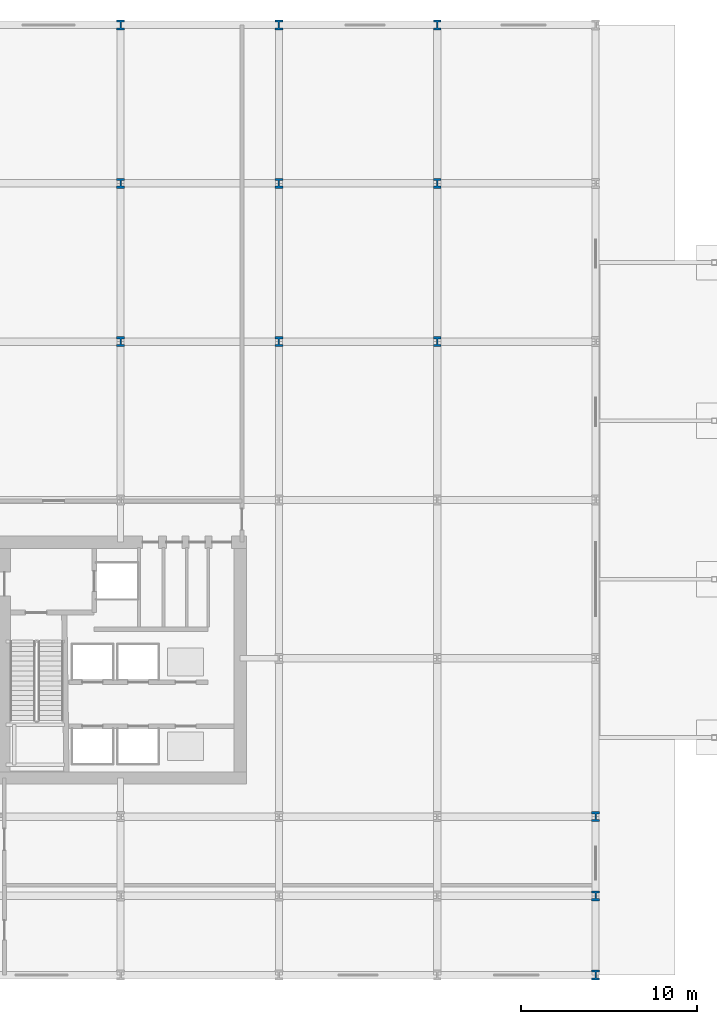
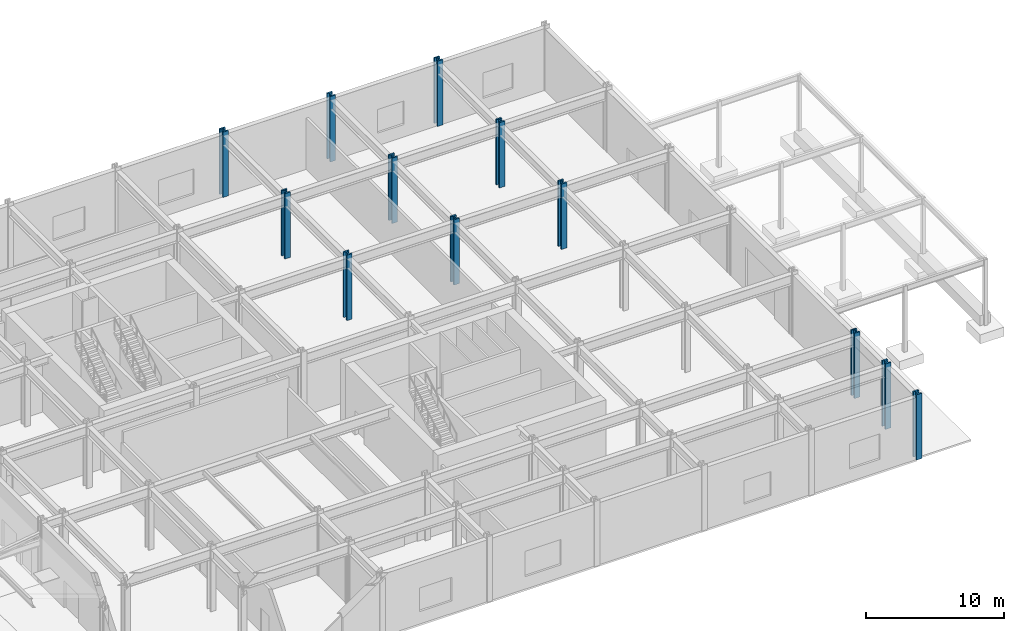
# One storey, part 5 of 19: 12 columns.
"""IFC4 building model written with IfcOpenShell, lengths in metres."""

import ifcopenshell
import ifcopenshell.guid

model = None  # the IFC model being written
_history = None  # IfcOwnerHistory: only IFC2X3 demands one
_inside = {}  # id of a spatial element -> (the spatial element, [elements in it])
_under = {}  # id of a project, library or spatial element -> (it, [spatial elements below it])
_declared = {}  # id of a project -> (the project, [libraries it declares])
_typed = {}  # id of a type object -> (the type object, [elements of that type])
_made_of = {}  # id of a material, layer set ... -> (it, [elements and type objects made of it])


def new_model(schema):
    """Start an empty IFC model of exactly this schema.

    Asked for "IFC4X3", IfcOpenShell would pick the latest addendum, in which some entities
    have other attributes; the version numbers below select the first issue.
    IFC2X3 requires an IfcOwnerHistory on every rooted entity: one is made here for all.
    """
    global model, _history
    if schema == "IFC4X3":
        model = ifcopenshell.file(schema_version=(4, 3, 0, 0))
    else:
        model = ifcopenshell.file(schema=schema)
    _inside.clear()
    _under.clear()
    _declared.clear()
    _typed.clear()
    _made_of.clear()
    _history = None
    if model.schema == "IFC2X3":
        org = make("IfcOrganization", Name="unknown")
        user = make(
            "IfcPersonAndOrganization",
            ThePerson=make("IfcPerson", FamilyName="unknown"),
            TheOrganization=org,
        )
        app = make(
            "IfcApplication",
            ApplicationDeveloper=org,
            Version="unknown",
            ApplicationFullName="unknown",
            ApplicationIdentifier="unknown",
        )
        _history = make(
            "IfcOwnerHistory",
            OwningUser=user,
            OwningApplication=app,
            ChangeAction="ADDED",
            CreationDate=0,
        )
    return model


def make(cls, **values):
    """One entity of the class cls with the attributes given. An attribute that is None is left unset."""
    return model.create_entity(
        cls, **{name: value for name, value in values.items() if value is not None}
    )


def rooted(cls, **values):
    """An entity with a GlobalId (a new one), such as an element, a storey or a relation."""
    return make(cls, GlobalId=ifcopenshell.guid.new(), OwnerHistory=_history, **values)


def si_unit(unit_type, name, prefix=None):
    """IfcSIUnit, for example si_unit("LENGTHUNIT", "METRE", prefix="MILLI")."""
    return make("IfcSIUnit", UnitType=unit_type, Prefix=prefix, Name=name)


def assignment(units):
    """IfcUnitAssignment: the units of a project."""
    return None if units is None else make("IfcUnitAssignment", Units=units)


def point(xyz):
    """IfcCartesianPoint."""
    return None if xyz is None else make("IfcCartesianPoint", Coordinates=xyz)


def direction(xyz):
    """IfcDirection."""
    return None if xyz is None else make("IfcDirection", DirectionRatios=xyz)


def frame(location, z_axis=None, x_axis=None):
    """IfcAxis2Placement3D, a coordinate frame: its origin and axes. An axis left out is left unset."""
    return make(
        "IfcAxis2Placement3D",
        Location=point(location),
        Axis=direction(z_axis),
        RefDirection=direction(x_axis),
    )


def frame_2d(location, x_axis=None):
    """IfcAxis2Placement2D, a coordinate frame in the plane: its origin and x axis."""
    return make(
        "IfcAxis2Placement2D", Location=point(location), RefDirection=direction(x_axis)
    )


def origin():
    """The frame at (0, 0, 0) with its axes left unset."""
    return frame((0.0, 0.0, 0.0))


def origin_2d():
    """The frame at (0, 0) in the plane with its x axis left unset."""
    return frame_2d((0.0, 0.0))


def place(relative_to, where):
    """IfcLocalPlacement: puts the frame where relative to a parent placement (None: the world)."""
    return make(
        "IfcLocalPlacement", PlacementRelTo=relative_to, RelativePlacement=where
    )


def context(
    kind, dimensions, precision=None, world=None, true_north=None, identifier=None
):
    """IfcGeometricRepresentationContext, for example the 3D "Model" context."""
    return make(
        "IfcGeometricRepresentationContext",
        ContextIdentifier=identifier,
        ContextType=kind,
        CoordinateSpaceDimension=dimensions,
        Precision=precision,
        WorldCoordinateSystem=world,
        TrueNorth=true_north,
    )


def subcontext(parent, identifier, kind, view, scale=None):
    """IfcGeometricRepresentationSubContext, for example "Body" below "Model"."""
    return make(
        "IfcGeometricRepresentationSubContext",
        ContextIdentifier=identifier,
        ContextType=kind,
        ParentContext=parent,
        TargetScale=scale,
        TargetView=view,
    )


def project(units=None, contexts=None):
    """IfcProject with its units and contexts."""
    return rooted(
        "IfcProject",
        Name="project",
        RepresentationContexts=contexts,
        UnitsInContext=assignment(units),
    )


def spatial(cls, under=None, at=None, **own):
    """A site, building, storey or space (cls), placed at a placement, below another one or the project."""
    s = rooted(cls, ObjectPlacement=at, **own)
    if under is not None:
        _under.setdefault(under.id(), (under, []))[1].append(s)
    return s


def profile(cls, at=None, kind="AREA", **sizes):
    """A parametric profile (cls). Its sizes go by their IFC names, for example OverallWidth=200.0."""
    return make(cls, ProfileType=kind, Position=at, **sizes)


def i_section(**sizes):
    """IfcIShapeProfileDef."""
    return profile("IfcIShapeProfileDef", **sizes)


def extrude(swept, where, along, depth):
    """IfcExtrudedAreaSolid: the profile swept, set in the frame where, extruded along a direction by depth."""
    return make(
        "IfcExtrudedAreaSolid",
        SweptArea=swept,
        Position=where,
        ExtrudedDirection=direction(along),
        Depth=depth,
    )


def shape(context_of_items, identifier, shape_type, items):
    """IfcShapeRepresentation: the items that make up one representation, for example the "Body"."""
    return make(
        "IfcShapeRepresentation",
        ContextOfItems=context_of_items,
        RepresentationIdentifier=identifier,
        RepresentationType=shape_type,
        Items=items,
    )


def material(Name=None, Category=None):
    """IfcMaterial."""
    return make("IfcMaterial", Name=Name, Category=Category)


def material_profile(
    of_material, cross_section, Name=None, Category=None, Priority=None
):
    """IfcMaterialProfile: a cross section and its material."""
    return make(
        "IfcMaterialProfile",
        Name=Name,
        Material=of_material,
        Profile=cross_section,
        Priority=Priority,
        Category=Category,
    )


def profile_set(profiles, Name=None, composite=None):
    """IfcMaterialProfileSet."""
    return make(
        "IfcMaterialProfileSet",
        Name=Name,
        MaterialProfiles=profiles,
        CompositeProfile=composite,
    )


def made_of(thing, what):
    """Note that an element or type object is made of a material, layer set ...; save() writes the relation."""
    if what is not None:
        _made_of.setdefault(what.id(), (what, []))[1].append(thing)
    return thing


def type_object(cls, material=None, **own):
    """A type object (cls), such as IfcWallType, which elements share."""
    return made_of(rooted(cls, **own), material)


def element(
    cls,
    number,
    at=None,
    inside=None,
    cuts=None,
    type_object=None,
    material=None,
    context=None,
    identifier="Body",
    shape_type=None,
    held_by="IfcProductDefinitionShape",
    body=None,
    shapes=None,
    **own,
):
    """One element of the class cls, such as IfcWall. Its Tag is "e" and its number.

    at: its placement. inside: the storey or other place that contains it. cuts: it is an
    opening in that element (IfcRelVoidsElement). A single representation is given by context,
    identifier, shape_type and body (its items); several are given by shapes. held_by: the class
    of the entity that holds the representations. save() writes the other relations.
    """
    e = rooted(cls, Tag="e%d" % number, ObjectPlacement=at, **own)
    if body is not None:
        shapes = [shape(context, identifier, shape_type, body)]
    if shapes is not None:
        e.Representation = make(held_by, Representations=shapes)
    if inside is not None:
        _inside.setdefault(inside.id(), (inside, []))[1].append(e)
    if cuts is not None:
        rooted(
            "IfcRelVoidsElement", RelatingBuildingElement=cuts, RelatedOpeningElement=e
        )
    if type_object is not None:
        _typed.setdefault(type_object.id(), (type_object, []))[1].append(e)
    return made_of(e, material)


def aggregate(whole, parts):
    """IfcRelAggregates: a whole, such as a stair, and the parts it consists of."""
    return rooted("IfcRelAggregates", RelatingObject=whole, RelatedObjects=parts)


def save(model, path):
    """Write the relations noted so far, then the file.

    IfcRelAggregates (storeys below a building ...), IfcRelContainedInSpatialStructure (elements
    in a storey), IfcRelDefinesByType, IfcRelAssociatesMaterial and IfcRelDeclares: one each for
    every whole, place, type object, material and project.
    """
    for whole, parts in _under.values():
        aggregate(whole, parts)
    for where, things in _inside.values():
        rooted(
            "IfcRelContainedInSpatialStructure",
            RelatedElements=things,
            RelatingStructure=where,
        )
    for kind, things in _typed.values():
        rooted("IfcRelDefinesByType", RelatedObjects=things, RelatingType=kind)
    for what, things in _made_of.values():
        rooted("IfcRelAssociatesMaterial", RelatedObjects=things, RelatingMaterial=what)
    for by, libraries in _declared.values():
        rooted("IfcRelDeclares", RelatingContext=by, RelatedDefinitions=libraries)
    model.write(path)


model = new_model("IFC4")

# Units and contexts
model_context = context("Model", 3, precision=1e-05, world=origin(), true_north=direction((0.0, 1.0)))
body_context = subcontext(model_context, "Body", "Model", "MODEL_VIEW")
ifc_project = project(units=[si_unit("LENGTHUNIT", "METRE"), si_unit("AREAUNIT", "SQUARE_METRE"), si_unit("VOLUMEUNIT", "CUBIC_METRE"), si_unit("PLANEANGLEUNIT", "RADIAN"), si_unit("MASSUNIT", "GRAM", prefix="KILO")], contexts=[model_context])

# Site, building, storey
site_placement = place(None, origin())
site = spatial("IfcSite", under=ifc_project, at=site_placement, CompositionType="ELEMENT")
building_placement = place(site_placement, origin())
building = spatial("IfcBuilding", under=site, at=building_placement, Name="Solvaryn Broadcast Tower", CompositionType="ELEMENT")
storey_placement = place(building_placement, origin())
storey = spatial("IfcBuildingStorey", under=building, at=storey_placement, Name="L00", CompositionType="ELEMENT", Elevation=0.0)

# Columns
ifc_material_1 = material(Name="Steel ASTM A913 Grade 65", Category="steel")
ifc_material_profile_1 = material_profile(ifc_material_1, i_section(OverallWidth=0.4541015625, OverallDepth=0.569091796875, WebThickness=0.077880859375, FlangeThickness=0.124755859375, FilletRadius=0.014892578125, at=origin_2d()))
ifc_profile_set_1 = profile_set([ifc_material_profile_1], Name="Steel ASTM A913 Grade 65")
column_type_1 = type_object("IfcColumnType", Name="COL-C01E-W14X730", PredefinedType="COLUMN", material=ifc_profile_set_1)
for number, where, z_axis, x_axis, name in (
    (1, (36.0, 54.0, 0.0), (0.0, 0.0, 1.0), (1.0, 0.0, 0.0), "L00 Column (36.0, 54.0)"),
    (2, (45.0, 54.0, 0.0), (0.0, 0.0, 1.0), (1.0, 0.0, 0.0), "L00 Column (45.0, 54.0)"),
    (3, (54.0, 54.0, 0.0), (0.0, 0.0, 1.0), (1.0, 0.0, 0.0), "L00 Column (54.0, 54.0)"),
    (4, (63.0, 0.0, 0.0), (0.0, 0.0, 1.0), (1.0, 0.0, 0.0), "L00 Column (63.0, 0.0)"),
    (5, (63.0, 9.0, 0.0), (0.0, 0.0, 1.0), (1.0, 0.0, 0.0), "L00 Column (63.0, 9.0)"),
):
    element("IfcColumn", number, at=place(storey_placement, frame(where, z_axis=z_axis, x_axis=x_axis)), inside=storey, type_object=column_type_1, Name=name, PredefinedType="COLUMN", context=body_context, shape_type="SweptSolid", body=[
        extrude(i_section(OverallWidth=0.4541015625, OverallDepth=0.569091796875, WebThickness=0.077880859375, FlangeThickness=0.124755859375, FilletRadius=0.014892578125, at=origin_2d()), origin(), (0.0, 0.0, 1.0), 5.800048828125),
    ])
ifc_material_2 = material(Name="Steel ASTM A913 Grade 65", Category="steel")
ifc_material_profile_2 = material_profile(ifc_material_2, i_section(OverallWidth=0.4541015625, OverallDepth=0.569091796875, WebThickness=0.077880859375, FlangeThickness=0.124755859375, FilletRadius=0.014892578125, at=origin_2d()))
ifc_profile_set_2 = profile_set([ifc_material_profile_2], Name="Steel ASTM A913 Grade 65")
column_type_2 = type_object("IfcColumnType", Name="COL-C01I-W14X730", PredefinedType="COLUMN", material=ifc_profile_set_2)
for number, where, z_axis, x_axis, name in (
    (6, (36.0, 36.0, 0.0), (0.0, 0.0, 1.0), (1.0, 0.0, 0.0), "L00 Column (36.0, 36.0)"),
    (7, (36.0, 45.0, 0.0), (0.0, 0.0, 1.0), (1.0, 0.0, 0.0), "L00 Column (36.0, 45.0)"),
    (8, (45.0, 36.0, 0.0), (0.0, 0.0, 1.0), (1.0, 0.0, 0.0), "L00 Column (45.0, 36.0)"),
    (9, (45.0, 45.0, 0.0), (0.0, 0.0, 1.0), (1.0, 0.0, 0.0), "L00 Column (45.0, 45.0)"),
    (10, (54.0, 36.0, 0.0), (0.0, 0.0, 1.0), (1.0, 0.0, 0.0), "L00 Column (54.0, 36.0)"),
    (11, (54.0, 45.0, 0.0), (0.0, 0.0, 1.0), (1.0, 0.0, 0.0), "L00 Column (54.0, 45.0)"),
    (12, (63.0, 4.5, 0.0), (0.0, 0.0, 1.0), (1.0, 0.0, 0.0), "L00 Column (63.0, 4.5)"),
):
    element("IfcColumn", number, at=place(storey_placement, frame(where, z_axis=z_axis, x_axis=x_axis)), inside=storey, type_object=column_type_2, Name=name, PredefinedType="COLUMN", context=body_context, shape_type="SweptSolid", body=[
        extrude(i_section(OverallWidth=0.4541015625, OverallDepth=0.569091796875, WebThickness=0.077880859375, FlangeThickness=0.124755859375, FilletRadius=0.014892578125, at=origin_2d()), origin(), (0.0, 0.0, 1.0), 5.800048828125),
    ])

save(model, "model.ifc")
